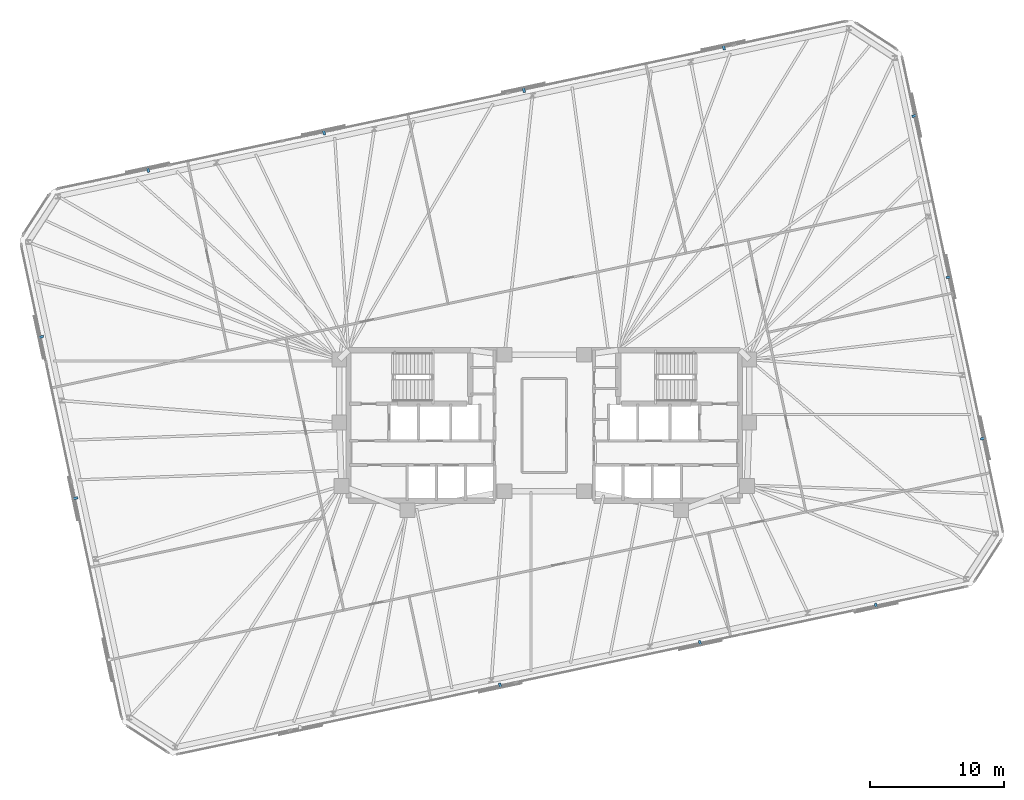
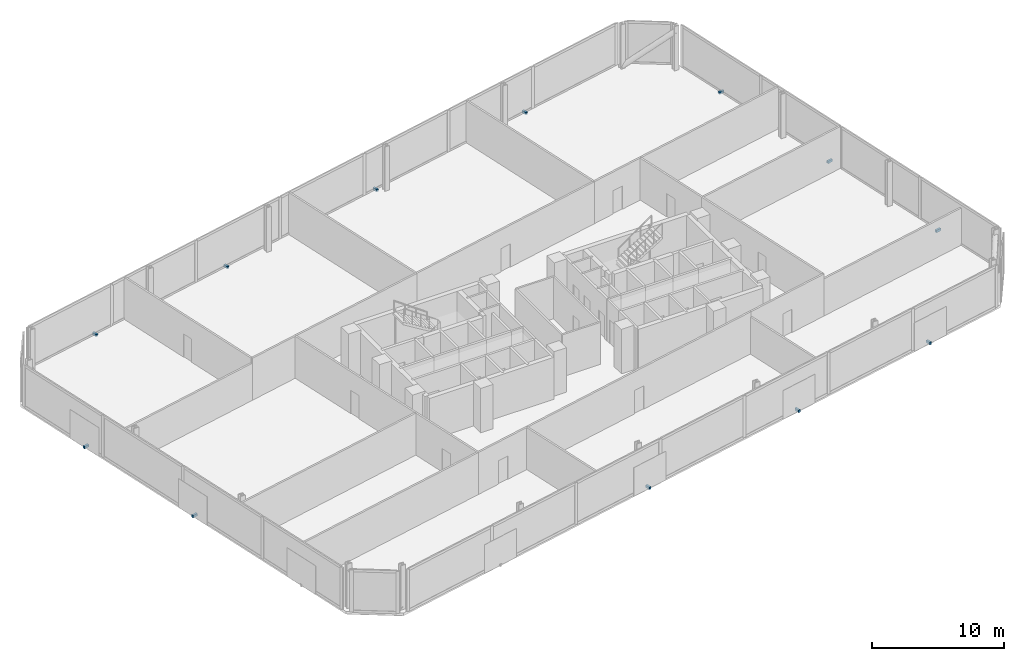
# One storey, part 14 of 15: 12 discrete accessories.
"""IFC4 building model written with IfcOpenShell, lengths in metres."""

from ifc_helpers import new_model, si_unit, direction, frame, origin, origin_2d, place, context, subcontext, project, spatial, rectangle, extrude, material, type_object, element, save


model = new_model("IFC4")

# Units and contexts
model_context = context("Model", 3, precision=1e-05, world=origin(), true_north=direction((0.0, 1.0)))
body_context = subcontext(model_context, "Body", "Model", "MODEL_VIEW")
ifc_project = project(units=[si_unit("LENGTHUNIT", "METRE"), si_unit("AREAUNIT", "SQUARE_METRE"), si_unit("VOLUMEUNIT", "CUBIC_METRE"), si_unit("PLANEANGLEUNIT", "RADIAN"), si_unit("MASSUNIT", "GRAM", prefix="KILO")], contexts=[model_context])

# Site, building, storey
site_placement = place(None, origin())
site = spatial("IfcSite", under=ifc_project, at=site_placement, CompositionType="ELEMENT")
building_placement = place(site_placement, origin())
building = spatial("IfcBuilding", under=site, at=building_placement, Name="Menara Jurai Vektor", CompositionType="ELEMENT")
storey_placement = place(building_placement, frame((0.0, 0.0, 147.300048828125)))
storey = spatial("IfcBuildingStorey", under=building, at=storey_placement, Name="L37", CompositionType="ELEMENT", Elevation=147.300048828125)

# Discrete accessories
ifc_material = material(Name="Steel S355", Category="steel")
discrete_accessory_type = type_object("IfcDiscreteAccessoryType", Name="ENV-ACC-BRACKET", PredefinedType="BRACKET", material=ifc_material)
for number, where, z_axis, x_axis, name in (
    (1, (-3.2802734375, -19.377685546875, -0.1298828125), (0.0, 0.0, 1.0), (0.978147600734, 0.207911690818, 0.0), "Solar Screen Stand-Off Bracket L37-S02"),
    (2, (11.587646484375, -16.21728515625, -0.1298828125), (0.0, 0.0, 1.0), (0.978147600734, 0.207911690818, 0.0), "Solar Screen Stand-Off Bracket L37-S03"),
    (3, (24.67138671875, -13.436279296875, -0.1298828125), (0.0, 0.0, 1.0), (0.978147600734, 0.207911690818, 0.0), "Solar Screen Stand-Off Bracket L37-S04"),
    (4, (32.660400390625, -0.9716796875, -0.1298828125), (0.0, 0.0, 1.0), (-0.207911690818, 0.978147600734, 0.0), "Solar Screen Stand-Off Bracket L37-S05"),
    (5, (30.10986328125, 11.027099609375, -0.1298828125), (0.0, 0.0, 1.0), (-0.207911690818, 0.978147600734, 0.0), "Solar Screen Stand-Off Bracket L37-S06"),
    (6, (27.5595703125, 23.025634765625, -0.1298828125), (0.0, 0.0, 1.0), (-0.207911690818, 0.978147600734, 0.0), "Solar Screen Stand-Off Bracket L37-S07"),
    (7, (13.34814453125, 28.137939453125, -0.1298828125), (0.0, 0.0, 1.0), (-0.978147600734, -0.207911690818, 0.0), "Solar Screen Stand-Off Bracket L37-S08"),
    (8, (-1.519775390625, 24.977783203125, -0.1298828125), (0.0, 0.0, 1.0), (-0.978147600734, -0.207911690818, 0.0), "Solar Screen Stand-Off Bracket L37-S09"),
    (9, (-16.3876953125, 21.8173828125, -0.1298828125), (0.0, 0.0, 1.0), (-0.978147600734, -0.207911690818, 0.0), "Solar Screen Stand-Off Bracket L37-S10"),
    (10, (-29.47119140625, 19.036376953125, -0.1298828125), (0.0, 0.0, 1.0), (-0.978147600734, -0.207911690818, 0.0), "Solar Screen Stand-Off Bracket L37-S11"),
    (11, (-37.460205078125, 6.571533203125, -0.1298828125), (0.0, 0.0, 1.0), (0.207911690818, -0.978147600734, 0.0), "Solar Screen Stand-Off Bracket L37-S12"),
    (12, (-34.909912109375, -5.427001953125, -0.1298828125), (0.0, 0.0, 1.0), (0.207911690818, -0.978147600734, 0.0), "Solar Screen Stand-Off Bracket L37-S13"),
):
    element("IfcDiscreteAccessory", number, at=place(storey_placement, frame(where, z_axis=z_axis, x_axis=x_axis)), inside=storey, type_object=discrete_accessory_type, Name=name, PredefinedType="BRACKET", context=body_context, shape_type="SweptSolid", body=[
        extrude(rectangle(XDim=0.179931640625, YDim=0.43994140625, at=origin_2d()), origin(), (0.0, 0.0, 1.0), 0.219970703125),
    ])

save(model, "model.ifc")
